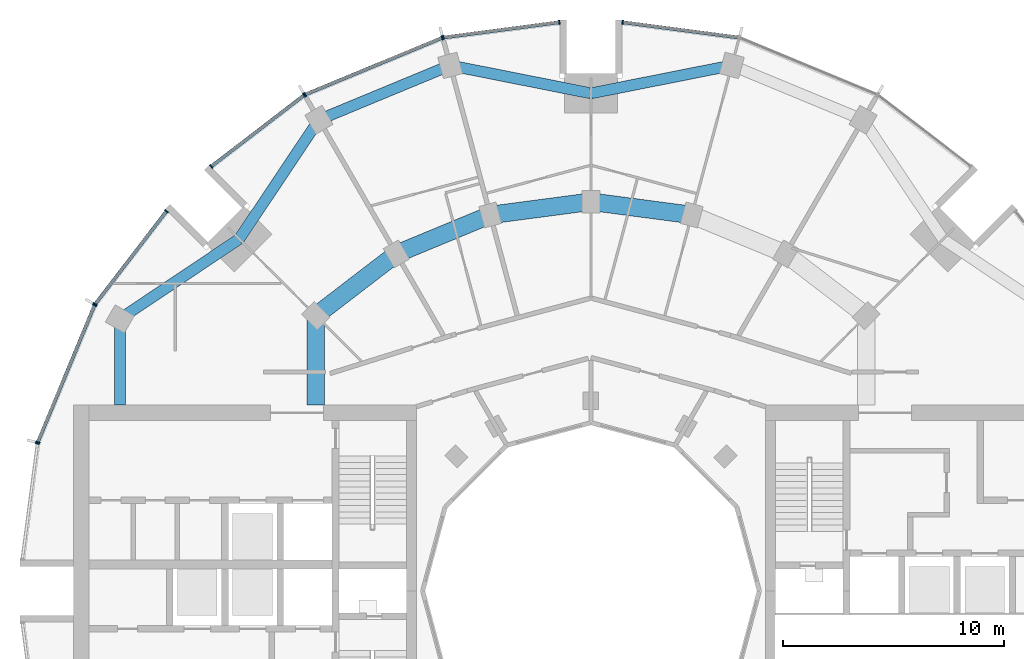
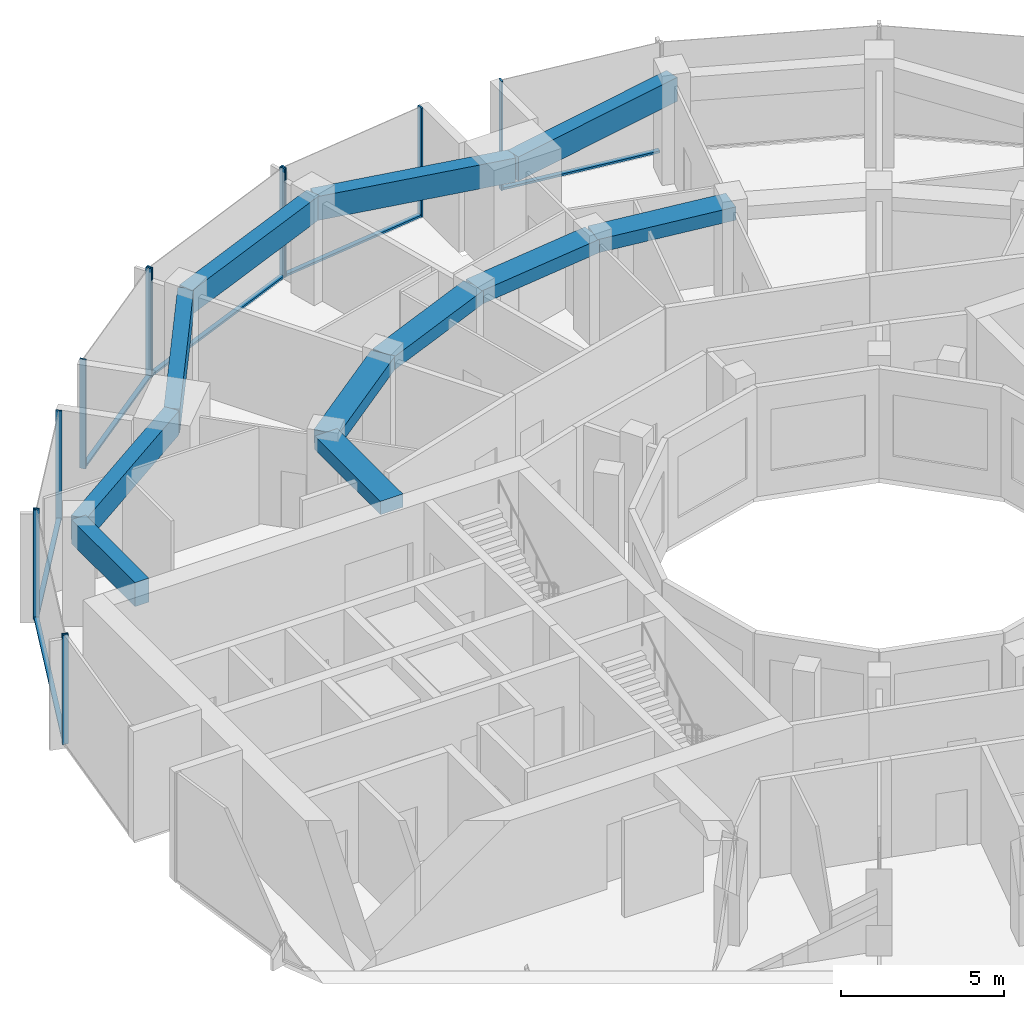
# One storey, part 5 of 15: 18 members, 11 beams, 7 elements without a shape of their own.
"""IFC4 building model written with IfcOpenShell, lengths in metres."""

from ifc_helpers import new_model, si_unit, direction, frame, origin, origin_2d, place, context, subcontext, project, spatial, rectangle, extrude, material, layer, layer_set, material_profile, profile_set, type_object, element, aggregate, save


model = new_model("IFC4")

# Units and contexts
model_context = context("Model", 3, precision=1e-05, world=origin(), true_north=direction((0.0, 1.0)))
body_context = subcontext(model_context, "Body", "Model", "MODEL_VIEW")
ifc_project = project(units=[si_unit("LENGTHUNIT", "METRE"), si_unit("AREAUNIT", "SQUARE_METRE"), si_unit("VOLUMEUNIT", "CUBIC_METRE"), si_unit("PLANEANGLEUNIT", "RADIAN"), si_unit("MASSUNIT", "GRAM", prefix="KILO")], contexts=[model_context])

# Site, building, storey
site_placement = place(None, origin())
site = spatial("IfcSite", under=ifc_project, at=site_placement, CompositionType="ELEMENT")
building_placement = place(site_placement, origin())
building = spatial("IfcBuilding", under=site, at=building_placement, Name="Torre Brocal", CompositionType="ELEMENT")
storey_placement = place(building_placement, frame((0.0, 0.0, 182.300048828125)))
storey = spatial("IfcBuildingStorey", under=building, at=storey_placement, Name="L42", CompositionType="ELEMENT", Elevation=182.300048828125)

# Curtain wall, member
ifc_material_1 = material(Name="Aluminium and glass", Category="aluminium")
ifc_layer_1 = layer(ifc_material_1, 0.199951171875)
ifc_layer_set_1 = layer_set([ifc_layer_1], Name="Aluminium and glass")
curtain_wall_type_1 = type_object("IfcCurtainWallType", Name="CW-1 CURTAIN WALL 4100 HIGH", PredefinedType="NOTDEFINED", material=ifc_layer_set_1)
curtain_wall_1_placement = place(storey_placement, origin())
curtain_wall_1 = element("IfcCurtainWall", 1, at=curtain_wall_1_placement, inside=storey, type_object=curtain_wall_type_1, Name="CW-1 RUN 6", PredefinedType="NOTDEFINED")
ifc_material_2 = material(Name="Aluminium, dark anodised", Category="aluminium")
ifc_material_profile_1 = material_profile(ifc_material_2, rectangle(XDim=0.199951171875, YDim=0.06005859375, at=origin_2d()), Name="CW-1 MULLION 60X200")
ifc_profile_set_1 = profile_set([ifc_material_profile_1], Name="Aluminium, dark anodised")
member_type_1 = type_object("IfcMemberType", Name="CW-1 MULLION 60X200", PredefinedType="MULLION", material=ifc_profile_set_1)
member_1_placement = place(storey_placement, frame((81.4296875, 100.7109375, 0.0), z_axis=(0.0, 0.0, 1.0), x_axis=(-0.13052619222, -0.991444861374, 0.0)))
member_1 = element("IfcMember", 2, at=member_1_placement, type_object=member_type_1, Name="CW1-4 mullion 2", PredefinedType="MULLION", context=body_context, shape_type="SweptSolid", body=[
    extrude(rectangle(XDim=0.199951171875, YDim=0.06005859375, at=origin_2d()), origin(), (0.0, 0.0, 1.0), 4.099853515625),
])

# Curtain wall, members
curtain_wall_2_placement = place(storey_placement, origin())
curtain_wall_2 = element("IfcCurtainWall", 3, at=curtain_wall_2_placement, inside=storey, type_object=curtain_wall_type_1, Name="CW-1 RUN 7", PredefinedType="NOTDEFINED")
member_2_placement = place(storey_placement, frame((78.5703125, 100.7109375, 0.0), z_axis=(0.0, 0.0, 1.0), x_axis=(0.13052619222, -0.991444861374, 0.0)))
member_2 = element("IfcMember", 4, at=member_2_placement, type_object=member_type_1, Name="CW1-4 mullion 1", PredefinedType="MULLION", context=body_context, shape_type="SweptSolid", body=[
    extrude(rectangle(XDim=0.199951171875, YDim=0.06005859375, at=origin_2d()), origin(), (0.0, 0.0, 1.0), 4.099853515625),
])
member_3_placement = place(storey_placement, frame((73.32666015625, 100.0205078125, 0.0), z_axis=(0.0, 0.0, 1.0), x_axis=(0.13052619222, -0.991444861374, 0.0)))
member_3 = element("IfcMember", 5, at=member_3_placement, type_object=member_type_1, Name="CW1-4 mullion 2", PredefinedType="MULLION", context=body_context, shape_type="SweptSolid", body=[
    extrude(rectangle(XDim=0.199951171875, YDim=0.06005859375, at=origin_2d()), origin(), (0.0, 0.0, 1.0), 4.099853515625),
])

curtain_wall_3_placement = place(storey_placement, origin())
curtain_wall_3 = element("IfcCurtainWall", 6, at=curtain_wall_3_placement, inside=storey, type_object=curtain_wall_type_1, Name="CW-1 RUN 8", PredefinedType="NOTDEFINED")
member_4_placement = place(storey_placement, frame((73.26904296875, 100.005126953125, 0.0), z_axis=(0.0, 0.0, 1.0), x_axis=(0.382683432333, -0.923879532525, 0.0)))
member_4 = element("IfcMember", 7, at=member_4_placement, type_object=member_type_1, Name="CW1-4 mullion 1", PredefinedType="MULLION", context=body_context, shape_type="SweptSolid", body=[
    extrude(rectangle(XDim=0.199951171875, YDim=0.06005859375, at=origin_2d()), origin(), (0.0, 0.0, 1.0), 4.099853515625),
])
member_5_placement = place(storey_placement, frame((67.078125, 97.440673828125, 0.0), z_axis=(0.0, 0.0, 1.0), x_axis=(0.382683432333, -0.923879532525, 0.0)))
member_5 = element("IfcMember", 8, at=member_5_placement, type_object=member_type_1, Name="CW1-4 mullion 2", PredefinedType="MULLION", context=body_context, shape_type="SweptSolid", body=[
    extrude(rectangle(XDim=0.199951171875, YDim=0.06005859375, at=origin_2d()), origin(), (0.0, 0.0, 1.0), 4.099853515625),
])

curtain_wall_4_placement = place(storey_placement, origin())
curtain_wall_4 = element("IfcCurtainWall", 9, at=curtain_wall_4_placement, inside=storey, type_object=curtain_wall_type_1, Name="CW-1 RUN 9", PredefinedType="NOTDEFINED")
member_6_placement = place(storey_placement, frame((67.026611328125, 97.4111328125, 0.0), z_axis=(0.0, 0.0, 1.0), x_axis=(0.60876142905, -0.793353340259, 0.0)))
member_6 = element("IfcMember", 10, at=member_6_placement, type_object=member_type_1, Name="CW1-4 mullion 1", PredefinedType="MULLION", context=body_context, shape_type="SweptSolid", body=[
    extrude(rectangle(XDim=0.199951171875, YDim=0.06005859375, at=origin_2d()), origin(), (0.0, 0.0, 1.0), 4.099853515625),
])
member_7_placement = place(storey_placement, frame((62.83056640625, 94.19140625, 0.0), z_axis=(0.0, 0.0, 1.0), x_axis=(0.60876142905, -0.793353340259, 0.0)))
member_7 = element("IfcMember", 11, at=member_7_placement, type_object=member_type_1, Name="CW1-4 mullion 2", PredefinedType="MULLION", context=body_context, shape_type="SweptSolid", body=[
    extrude(rectangle(XDim=0.199951171875, YDim=0.06005859375, at=origin_2d()), origin(), (0.0, 0.0, 1.0), 4.099853515625),
])

curtain_wall_5_placement = place(storey_placement, origin())
curtain_wall_5 = element("IfcCurtainWall", 12, at=curtain_wall_5_placement, inside=storey, type_object=curtain_wall_type_1, Name="CW-1 RUN 10", PredefinedType="NOTDEFINED")
member_8_placement = place(storey_placement, frame((60.80859375, 92.16943359375, 0.0), z_axis=(0.0, 0.0, 1.0), x_axis=(0.793353340259, -0.60876142905, 0.0)))
member_8 = element("IfcMember", 13, at=member_8_placement, type_object=member_type_1, Name="CW1-4 mullion 1", PredefinedType="MULLION", context=body_context, shape_type="SweptSolid", body=[
    extrude(rectangle(XDim=0.199951171875, YDim=0.06005859375, at=origin_2d()), origin(), (0.0, 0.0, 1.0), 4.099853515625),
])
member_9_placement = place(storey_placement, frame((57.5888671875, 87.973388671875, 0.0), z_axis=(0.0, 0.0, 1.0), x_axis=(0.793353340259, -0.60876142905, 0.0)))
member_9 = element("IfcMember", 14, at=member_9_placement, type_object=member_type_1, Name="CW1-4 mullion 2", PredefinedType="MULLION", context=body_context, shape_type="SweptSolid", body=[
    extrude(rectangle(XDim=0.199951171875, YDim=0.06005859375, at=origin_2d()), origin(), (0.0, 0.0, 1.0), 4.099853515625),
])

curtain_wall_6_placement = place(storey_placement, origin())
curtain_wall_6 = element("IfcCurtainWall", 15, at=curtain_wall_6_placement, inside=storey, type_object=curtain_wall_type_1, Name="CW-1 RUN 11", PredefinedType="NOTDEFINED")
member_10_placement = place(storey_placement, frame((57.559326171875, 87.921875, 0.0), z_axis=(0.0, 0.0, 1.0), x_axis=(0.923879532525, -0.382683432333, 0.0)))
member_10 = element("IfcMember", 16, at=member_10_placement, type_object=member_type_1, Name="CW1-4 mullion 1", PredefinedType="MULLION", context=body_context, shape_type="SweptSolid", body=[
    extrude(rectangle(XDim=0.199951171875, YDim=0.06005859375, at=origin_2d()), origin(), (0.0, 0.0, 1.0), 4.099853515625),
])
member_11_placement = place(storey_placement, frame((54.994873046875, 81.73095703125, 0.0), z_axis=(0.0, 0.0, 1.0), x_axis=(0.923879532525, -0.382683432333, 0.0)))
member_11 = element("IfcMember", 17, at=member_11_placement, type_object=member_type_1, Name="CW1-4 mullion 2", PredefinedType="MULLION", context=body_context, shape_type="SweptSolid", body=[
    extrude(rectangle(XDim=0.199951171875, YDim=0.06005859375, at=origin_2d()), origin(), (0.0, 0.0, 1.0), 4.099853515625),
])

# Member
ifc_material_3 = material(Name="Aluminium, dark anodised", Category="aluminium")
ifc_material_profile_2 = material_profile(ifc_material_3, rectangle(XDim=0.159912109375, YDim=0.080078125, at=origin_2d()), Name="CW-1 TRANSOM 160X80")
ifc_profile_set_2 = profile_set([ifc_material_profile_2], Name="Aluminium, dark anodised")
member_type_2 = type_object("IfcMemberType", Name="CW-1 TRANSOM 160X80", PredefinedType="USERDEFINED", material=ifc_profile_set_2)
member_12_placement = place(storey_placement, frame((86.643798828125, 100.0244140625, 0.0400390625), z_axis=(-0.991442690863, 0.130542677827, 0.0), x_axis=(-0.130542677827, -0.991442690863, 0.0)))
member_12 = element("IfcMember", 18, at=member_12_placement, type_object=member_type_2, Name="CW1-4 transom 1.1", ObjectType="TRANSOM", PredefinedType="USERDEFINED", context=body_context, shape_type="SweptSolid", body=[
    extrude(rectangle(XDim=0.159912109375, YDim=0.080078125, at=origin_2d()), origin(), (0.0, 0.0, 1.0), 5.22900390625),
])

aggregate(curtain_wall_1, [member_1, member_12])

member_13_placement = place(storey_placement, frame((78.54052734375, 100.70703125, 0.0400390625), z_axis=(-0.991442690863, -0.130542677827, 0.0), x_axis=(0.130542677827, -0.991442690863, 0.0)))
member_13 = element("IfcMember", 19, at=member_13_placement, type_object=member_type_2, Name="CW1-4 transom 1.1", ObjectType="TRANSOM", PredefinedType="USERDEFINED", context=body_context, shape_type="SweptSolid", body=[
    extrude(rectangle(XDim=0.159912109375, YDim=0.080078125, at=origin_2d()), origin(), (0.0, 0.0, 1.0), 5.22900390625),
])

aggregate(curtain_wall_2, [member_2, member_3, member_13])

member_14_placement = place(storey_placement, frame((73.241455078125, 99.99365234375, 0.0400390625), z_axis=(-0.923887344364, -0.38266457234, 0.0), x_axis=(0.38266457234, -0.923887344364, 0.0)))
member_14 = element("IfcMember", 20, at=member_14_placement, type_object=member_type_2, Name="CW1-4 transom 1.1", ObjectType="TRANSOM", PredefinedType="USERDEFINED", context=body_context, shape_type="SweptSolid", body=[
    extrude(rectangle(XDim=0.159912109375, YDim=0.080078125, at=origin_2d()), origin(), (0.0, 0.0, 1.0), 6.640869140625),
])

aggregate(curtain_wall_3, [member_4, member_5, member_14])

member_15_placement = place(storey_placement, frame((67.0029296875, 97.392822265625, 0.0400390625), z_axis=(-0.79336281513, -0.60874908096, 0.0), x_axis=(0.60874908096, -0.79336281513, 0.0)))
member_15 = element("IfcMember", 21, at=member_15_placement, type_object=member_type_2, Name="CW1-4 transom 1.1", ObjectType="TRANSOM", PredefinedType="USERDEFINED", context=body_context, shape_type="SweptSolid", body=[
    extrude(rectangle(XDim=0.159912109375, YDim=0.080078125, at=origin_2d()), origin(), (0.0, 0.0, 1.0), 5.22900390625),
])

aggregate(curtain_wall_4, [member_6, member_7, member_15])

member_16_placement = place(storey_placement, frame((60.790283203125, 92.1455078125, 0.0400390625), z_axis=(-0.60874908096, -0.79336281513, 0.0), x_axis=(0.79336281513, -0.60874908096, 0.0)))
member_16 = element("IfcMember", 22, at=member_16_placement, type_object=member_type_2, Name="CW1-4 transom 1.1", ObjectType="TRANSOM", PredefinedType="USERDEFINED", context=body_context, shape_type="SweptSolid", body=[
    extrude(rectangle(XDim=0.159912109375, YDim=0.080078125, at=origin_2d()), origin(), (0.0, 0.0, 1.0), 5.22900390625),
])

aggregate(curtain_wall_5, [member_8, member_9, member_16])

member_17_placement = place(storey_placement, frame((57.547607421875, 87.89404296875, 0.0400390625), z_axis=(-0.38266457234, -0.923887344364, 0.0), x_axis=(0.923887344364, -0.38266457234, 0.0)))
member_17 = element("IfcMember", 23, at=member_17_placement, type_object=member_type_2, Name="CW1-4 transom 1.1", ObjectType="TRANSOM", PredefinedType="USERDEFINED", context=body_context, shape_type="SweptSolid", body=[
    extrude(rectangle(XDim=0.159912109375, YDim=0.080078125, at=origin_2d()), origin(), (0.0, 0.0, 1.0), 6.640869140625),
])

aggregate(curtain_wall_6, [member_10, member_11, member_17])

# Curtain wall, member
ifc_material_4 = material(Name="Aluminium and glass", Category="aluminium")
ifc_layer_2 = layer(ifc_material_4, 0.199951171875)
ifc_layer_set_2 = layer_set([ifc_layer_2], Name="Aluminium and glass")
curtain_wall_type_2 = type_object("IfcCurtainWallType", Name="CW-1B CURTAIN WALL 4100 HIGH", PredefinedType="NOTDEFINED", material=ifc_layer_set_2)
curtain_wall_7_placement = place(storey_placement, origin())
curtain_wall_7 = element("IfcCurtainWall", 24, at=curtain_wall_7_placement, inside=storey, type_object=curtain_wall_type_2, Name="CW-1B RUN 12", PredefinedType="NOTDEFINED")
ifc_material_5 = material(Name="Aluminium, dark anodised", Category="aluminium")
ifc_material_profile_3 = material_profile(ifc_material_5, rectangle(XDim=0.199951171875, YDim=0.06005859375, at=origin_2d()), Name="CW-1B MULLION 60X200")
ifc_profile_set_3 = profile_set([ifc_material_profile_3], Name="Aluminium, dark anodised")
member_type_3 = type_object("IfcMemberType", Name="CW-1B MULLION 60X200", PredefinedType="MULLION", material=ifc_profile_set_3)
member_18_placement = place(storey_placement, frame((54.9794921875, 81.67333984375, 0.0), z_axis=(0.0, 0.0, 1.0), x_axis=(0.991444861374, -0.13052619222, 0.0)))
member_18 = element("IfcMember", 25, at=member_18_placement, type_object=member_type_3, Name="CW1B-4 mullion 1", PredefinedType="MULLION", context=body_context, shape_type="SweptSolid", body=[
    extrude(rectangle(XDim=0.199951171875, YDim=0.06005859375, at=origin_2d()), origin(), (0.0, 0.0, 1.0), 4.099853515625),
])
aggregate(curtain_wall_7, [member_18])

# Beams
ifc_material_6 = material(Name="Concrete C50", Category="concrete")
ifc_material_profile_4 = material_profile(ifc_material_6, rectangle(XDim=0.800048828125, YDim=0.5, at=origin_2d()), Name="RC 800X500")
ifc_profile_set_4 = profile_set([ifc_material_profile_4], Name="Concrete C50")
beam_type_1 = type_object("IfcBeamType", Name="RC BEAM 800X500 C50 TOP 3780", PredefinedType="BEAM", material=ifc_profile_set_4)
for number, where, z_axis, x_axis, name in (
    (26, (84.55517578125, 92.000244140625, 3.530029296875), (-0.991440544449, 0.130558978332, 0.0), (-0.130558978332, -0.991440544449, 0.0), "Beam BT-32"),
    (27, (80.0, 92.60009765625, 3.530029296875), (-0.991440544449, -0.130558978332, 0.0), (0.130558978332, -0.991440544449, 0.0), "Beam BT-32"),
):
    element("IfcBeam", number, at=place(storey_placement, frame(where, z_axis=z_axis, x_axis=x_axis)), inside=storey, type_object=beam_type_1, Name=name, PredefinedType="BEAM", context=body_context, shape_type="SweptSolid", body=[
        extrude(rectangle(XDim=0.800048828125, YDim=0.5, at=origin_2d()), origin(), (0.0, 0.0, 1.0), 4.594482421875),
    ])
beam_1_placement = place(storey_placement, frame((75.44482421875, 92.000244140625, 3.530029296875), z_axis=(-0.923878240166, -0.382686552348, 0.0), x_axis=(0.382686552348, -0.923878240166, 0.0)))
element("IfcBeam", 28, at=beam_1_placement, inside=storey, type_object=beam_type_1, Name="Beam BT-32", PredefinedType="BEAM", context=body_context, shape_type="SweptSolid", body=[
    extrude(rectangle(XDim=0.800048828125, YDim=0.5, at=origin_2d()), origin(), (0.0, 0.0, 1.0), 4.5947265625),
])
beam_2_placement = place(storey_placement, frame((71.199951171875, 90.241943359375, 3.530029296875), z_axis=(-0.793358265959, -0.6087550097, 0.0), x_axis=(0.6087550097, -0.793358265959, 0.0)))
element("IfcBeam", 29, at=beam_2_placement, inside=storey, type_object=beam_type_1, Name="Beam BT-32", PredefinedType="BEAM", context=body_context, shape_type="SweptSolid", body=[
    extrude(rectangle(XDim=0.800048828125, YDim=0.5, at=origin_2d()), origin(), (0.0, 0.0, 1.0), 4.594482421875),
])
beam_3_placement = place(storey_placement, frame((67.554931640625, 87.445068359375, 3.530029296875), z_axis=(0.0, -1.0, 0.0), x_axis=(1.0, 0.0, 0.0)))
element("IfcBeam", 30, at=beam_3_placement, inside=storey, type_object=beam_type_1, Name="Beam BT-32", PredefinedType="BEAM", context=body_context, shape_type="SweptSolid", body=[
    extrude(rectangle(XDim=0.800048828125, YDim=0.5, at=origin_2d()), origin(), (0.0, 0.0, 1.0), 4.045166015625),
])
ifc_material_7 = material(Name="Concrete C50", Category="concrete")
ifc_material_profile_5 = material_profile(ifc_material_7, rectangle(XDim=0.5, YDim=0.89990234375, at=origin_2d()), Name="RC 500X900")
ifc_profile_set_5 = profile_set([ifc_material_profile_5], Name="Concrete C50")
beam_type_2 = type_object("IfcBeamType", Name="RC SPANDREL BEAM 500X900 C50 TOP 3780", PredefinedType="SPANDREL", material=ifc_profile_set_5)
for number, where, z_axis, x_axis, name in (
    (31, (86.366943359375, 98.76171875, 3.329833984375), (-0.980924907484, -0.194387051723, 0.0), (0.194387051723, -0.980924907484, 0.0), "Beam BT-33"),
    (32, (80.0, 97.5, 3.329833984375), (-0.980924907484, 0.194387051723, 0.0), (-0.194387051723, -0.980924907484, 0.0), "Beam BT-33"),
):
    element("IfcBeam", number, at=place(storey_placement, frame(where, z_axis=z_axis, x_axis=x_axis)), inside=storey, type_object=beam_type_2, Name=name, PredefinedType="SPANDREL", context=body_context, shape_type="SweptSolid", body=[
        extrude(rectangle(XDim=0.5, YDim=0.89990234375, at=origin_2d()), origin(), (0.0, 0.0, 1.0), 6.49072265625),
    ])
beam_4_placement = place(storey_placement, frame((73.633056640625, 98.76171875, 3.329833984375), z_axis=(-0.923882462513, -0.382676358639, 0.0), x_axis=(0.382676358639, -0.923882462513, 0.0)))
element("IfcBeam", 33, at=beam_4_placement, inside=storey, type_object=beam_type_2, Name="Beam BT-33", PredefinedType="SPANDREL", context=body_context, shape_type="SweptSolid", body=[
    extrude(rectangle(XDim=0.5, YDim=0.89990234375, at=origin_2d()), origin(), (0.0, 0.0, 1.0), 6.421875),
])
for number, where, z_axis, x_axis, name in (
    (34, (67.699951171875, 96.30419921875, 3.329833984375), (-0.556157602282, -0.831076844476, 0.0), (0.831076844476, -0.556157602282, 0.0), "Beam BT-33"),
    (35, (64.090087890625, 90.909912109375, 3.329833984375), (-0.831076844476, -0.556157602282, 0.0), (0.556157602282, -0.831076844476, 0.0), "Beam BT-33"),
):
    element("IfcBeam", number, at=place(storey_placement, frame(where, z_axis=z_axis, x_axis=x_axis)), inside=storey, type_object=beam_type_2, Name=name, PredefinedType="SPANDREL", context=body_context, shape_type="SweptSolid", body=[
        extrude(rectangle(XDim=0.5, YDim=0.89990234375, at=origin_2d()), origin(), (0.0, 0.0, 1.0), 6.49072265625),
    ])
beam_5_placement = place(storey_placement, frame((58.69580078125, 87.300048828125, 3.329833984375), z_axis=(0.0, -1.0, 0.0), x_axis=(1.0, 0.0, 0.0)))
element("IfcBeam", 36, at=beam_5_placement, inside=storey, type_object=beam_type_2, Name="Beam BT-33", PredefinedType="SPANDREL", context=body_context, shape_type="SweptSolid", body=[
    extrude(rectangle(XDim=0.5, YDim=0.89990234375, at=origin_2d()), origin(), (0.0, 0.0, 1.0), 3.900146484375),
])

save(model, "model.ifc")
